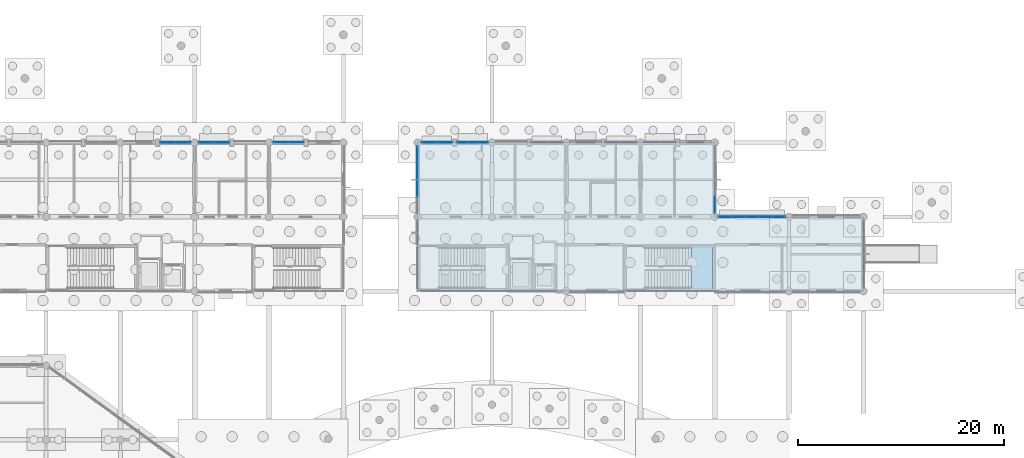
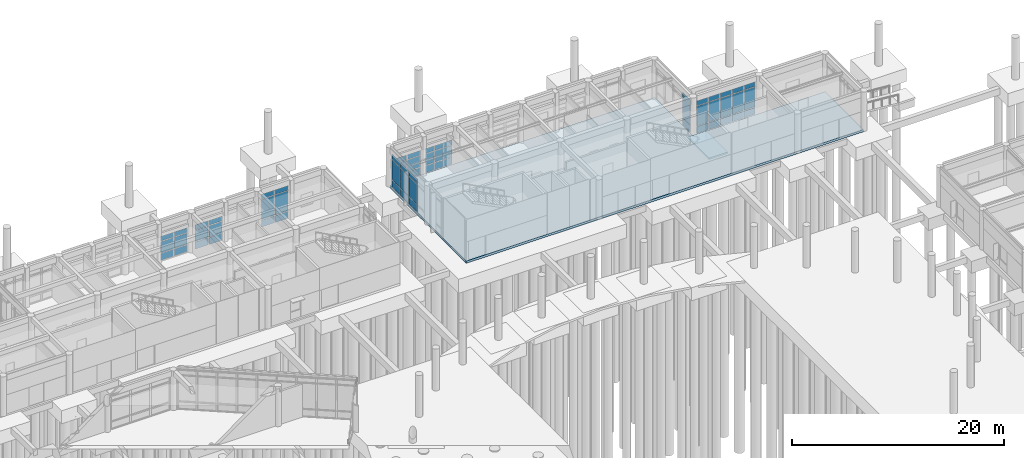
# One storey, part 49 of 103: 60 plates, 2 slabs, 9 elements without a shape of their own.
"""IFC4 building model written with IfcOpenShell, lengths in metres."""

from ifc_helpers import new_model, si_unit, direction, frame, origin, origin_2d, place, context, subcontext, project, spatial, polyline, rectangle, outline, extrude, material, layer, layer_set, type_object, element, aggregate, save


model = new_model("IFC4")

# Units and contexts
model_context = context("Model", 3, precision=1e-05, world=origin(), true_north=direction((0.0, 1.0)))
body_context = subcontext(model_context, "Body", "Model", "MODEL_VIEW")
ifc_project = project(units=[si_unit("LENGTHUNIT", "METRE"), si_unit("AREAUNIT", "SQUARE_METRE"), si_unit("VOLUMEUNIT", "CUBIC_METRE"), si_unit("PLANEANGLEUNIT", "RADIAN"), si_unit("MASSUNIT", "GRAM", prefix="KILO")], contexts=[model_context])

# Site, building, storey
site_placement = place(None, origin())
site = spatial("IfcSite", under=ifc_project, at=site_placement, CompositionType="ELEMENT")
building_placement = place(site_placement, origin())
building = spatial("IfcBuilding", under=site, at=building_placement, Name="Namkhue Oval Health Centre", CompositionType="ELEMENT")
storey_placement = place(building_placement, origin())
storey = spatial("IfcBuildingStorey", under=building, at=storey_placement, Name="L00", CompositionType="ELEMENT", Elevation=0.0)

# Curtain wall, plates
ifc_material_1 = material(Name="Anodised aluminium EN AW-6063 T6", Category="aluminium")
ifc_layer_1 = layer(ifc_material_1, 0.159912109375)
ifc_layer_set_1 = layer_set([ifc_layer_1], Name="Anodised aluminium EN AW-6063 T6")
curtain_wall_type_1 = type_object("IfcCurtainWallType", Name="UNITISED CURTAIN WALL M1500", PredefinedType="NOTDEFINED", material=ifc_layer_set_1)
curtain_wall_1_placement = place(storey_placement, origin())
curtain_wall_1 = element("IfcCurtainWall", 1, at=curtain_wall_1_placement, inside=storey, type_object=curtain_wall_type_1, Name="Volume V3 L00 Unitised Curtain Wall 93", PredefinedType="NOTDEFINED")
ifc_material_2 = material(Name="Thermally broken low-E laminated double glazing", Category="glass")
ifc_layer_2 = layer(ifc_material_2, 0.02587890625)
ifc_layer_set_2 = layer_set([ifc_layer_2], Name="Thermally broken low-E laminated double glazing")
plate_type_1 = type_object("IfcPlateType", Name="CURTAIN WALL GLAZED PANEL 26", PredefinedType="CURTAIN_PANEL", material=ifc_layer_set_2)
plate_1_placement = place(storey_placement, frame((122.39990234375, 98.38623046875, 0.06494140625), z_axis=(0.0, 0.0, 1.0), x_axis=(0.0, 1.0, 0.0)))
plate_1 = element("IfcPlate", 2, at=plate_1_placement, type_object=plate_type_1, Name="CW-03 panel 1.1", PredefinedType="CURTAIN_PANEL", context=body_context, shape_type="SweptSolid", body=[
    extrude(rectangle(XDim=1.5224609375, YDim=0.02587890625, at=origin_2d()), origin(), (0.0, 0.0, 1.0), 0.802490234375),
])
plate_2_placement = place(storey_placement, frame((122.39990234375, 98.38623046875, 0.932373046875), z_axis=(0.0, 0.0, 1.0), x_axis=(0.0, 1.0, 0.0)))
plate_2 = element("IfcPlate", 3, at=plate_2_placement, type_object=plate_type_1, Name="CW-03 panel 1.2", PredefinedType="CURTAIN_PANEL", context=body_context, shape_type="SweptSolid", body=[
    extrude(rectangle(XDim=1.5224609375, YDim=0.02587890625, at=origin_2d()), origin(), (0.0, 0.0, 1.0), 2.27001953125),
])
plate_3_placement = place(storey_placement, frame((122.39990234375, 98.38623046875, 3.267578125), z_axis=(0.0, 0.0, 1.0), x_axis=(0.0, 1.0, 0.0)))
plate_3 = element("IfcPlate", 4, at=plate_3_placement, type_object=plate_type_1, Name="CW-03 panel 1.3", PredefinedType="CURTAIN_PANEL", context=body_context, shape_type="SweptSolid", body=[
    extrude(rectangle(XDim=1.5224609375, YDim=0.02587890625, at=origin_2d()), origin(), (0.0, 0.0, 1.0), 0.552490234375),
])
aggregate(curtain_wall_1, [plate_1, plate_2, plate_3])

ifc_layer_3 = layer(ifc_material_1, 0.159912109375)
ifc_layer_set_3 = layer_set([ifc_layer_3], Name="Anodised aluminium EN AW-6063 T6")
curtain_wall_type_2 = type_object("IfcCurtainWallType", Name="UNITISED CURTAIN WALL M1200", PredefinedType="NOTDEFINED", material=ifc_layer_set_3)
curtain_wall_2_placement = place(storey_placement, origin())
curtain_wall_2 = element("IfcCurtainWall", 5, at=curtain_wall_2_placement, inside=storey, type_object=curtain_wall_type_2, Name="Volume V3 L00 Unitised Curtain Wall 97", PredefinedType="NOTDEFINED")
plate_4_placement = place(storey_placement, frame((99.9189453125, 104.39990234375, 0.06494140625), z_axis=(0.0, 0.0, 1.0), x_axis=(-1.0, 0.0, 0.0)))
plate_4 = element("IfcPlate", 6, at=plate_4_placement, type_object=plate_type_1, Name="CW-01 panel 1.1", PredefinedType="CURTAIN_PANEL", context=body_context, shape_type="SweptSolid", body=[
    extrude(rectangle(XDim=0.912109375, YDim=0.02587890625, at=origin_2d()), origin(), (0.0, 0.0, 1.0), 0.802490234375),
])
plate_5_placement = place(storey_placement, frame((99.9189453125, 104.39990234375, 0.9326171875), z_axis=(0.0, 0.0, 1.0), x_axis=(-1.0, 0.0, 0.0)))
plate_5 = element("IfcPlate", 7, at=plate_5_placement, type_object=plate_type_1, Name="CW-01 panel 1.2", PredefinedType="CURTAIN_PANEL", context=body_context, shape_type="SweptSolid", body=[
    extrude(rectangle(XDim=0.912109375, YDim=0.02587890625, at=origin_2d()), origin(), (0.0, 0.0, 1.0), 1.284912109375),
])
plate_6_placement = place(storey_placement, frame((99.9189453125, 104.39990234375, 2.28271484375), z_axis=(0.0, 0.0, 1.0), x_axis=(-1.0, 0.0, 0.0)))
plate_6 = element("IfcPlate", 8, at=plate_6_placement, type_object=plate_type_1, Name="CW-01 panel 1.3", PredefinedType="CURTAIN_PANEL", context=body_context, shape_type="SweptSolid", body=[
    extrude(rectangle(XDim=0.912109375, YDim=0.02587890625, at=origin_2d()), origin(), (0.0, 0.0, 1.0), 0.552490234375),
])
plate_7_placement = place(storey_placement, frame((98.925537109375, 104.39990234375, 0.06494140625), z_axis=(0.0, 0.0, 1.0), x_axis=(-1.0, 0.0, 0.0)))
plate_7 = element("IfcPlate", 9, at=plate_7_placement, type_object=plate_type_1, Name="CW-01 panel 2.1", PredefinedType="CURTAIN_PANEL", context=body_context, shape_type="SweptSolid", body=[
    extrude(rectangle(XDim=0.944580078125, YDim=0.02587890625, at=origin_2d()), origin(), (0.0, 0.0, 1.0), 0.802490234375),
])
plate_8_placement = place(storey_placement, frame((98.925537109375, 104.39990234375, 0.9326171875), z_axis=(0.0, 0.0, 1.0), x_axis=(-1.0, 0.0, 0.0)))
plate_8 = element("IfcPlate", 10, at=plate_8_placement, type_object=plate_type_1, Name="CW-01 panel 2.2", PredefinedType="CURTAIN_PANEL", context=body_context, shape_type="SweptSolid", body=[
    extrude(rectangle(XDim=0.944580078125, YDim=0.02587890625, at=origin_2d()), origin(), (0.0, 0.0, 1.0), 1.284912109375),
])
plate_9_placement = place(storey_placement, frame((98.925537109375, 104.39990234375, 2.28271484375), z_axis=(0.0, 0.0, 1.0), x_axis=(-1.0, 0.0, 0.0)))
plate_9 = element("IfcPlate", 11, at=plate_9_placement, type_object=plate_type_1, Name="CW-01 panel 2.3", PredefinedType="CURTAIN_PANEL", context=body_context, shape_type="SweptSolid", body=[
    extrude(rectangle(XDim=0.944580078125, YDim=0.02587890625, at=origin_2d()), origin(), (0.0, 0.0, 1.0), 0.552490234375),
])
plate_10_placement = place(storey_placement, frame((97.93212890625, 104.39990234375, 0.06494140625), z_axis=(0.0, 0.0, 1.0), x_axis=(-1.0, 0.0, 0.0)))
plate_10 = element("IfcPlate", 12, at=plate_10_placement, type_object=plate_type_1, Name="CW-01 panel 3.1", PredefinedType="CURTAIN_PANEL", context=body_context, shape_type="SweptSolid", body=[
    extrude(rectangle(XDim=0.912109375, YDim=0.02587890625, at=origin_2d()), origin(), (0.0, 0.0, 1.0), 0.802490234375),
])
plate_11_placement = place(storey_placement, frame((97.93212890625, 104.39990234375, 0.9326171875), z_axis=(0.0, 0.0, 1.0), x_axis=(-1.0, 0.0, 0.0)))
plate_11 = element("IfcPlate", 13, at=plate_11_placement, type_object=plate_type_1, Name="CW-01 panel 3.2", PredefinedType="CURTAIN_PANEL", context=body_context, shape_type="SweptSolid", body=[
    extrude(rectangle(XDim=0.912109375, YDim=0.02587890625, at=origin_2d()), origin(), (0.0, 0.0, 1.0), 1.284912109375),
])
plate_12_placement = place(storey_placement, frame((97.93212890625, 104.39990234375, 2.28271484375), z_axis=(0.0, 0.0, 1.0), x_axis=(-1.0, 0.0, 0.0)))
plate_12 = element("IfcPlate", 14, at=plate_12_placement, type_object=plate_type_1, Name="CW-01 panel 3.3", PredefinedType="CURTAIN_PANEL", context=body_context, shape_type="SweptSolid", body=[
    extrude(rectangle(XDim=0.912109375, YDim=0.02587890625, at=origin_2d()), origin(), (0.0, 0.0, 1.0), 0.552490234375),
])
aggregate(curtain_wall_2, [plate_4, plate_5, plate_6, plate_7, plate_8, plate_9, plate_10, plate_11, plate_12])

ifc_layer_4 = layer(ifc_material_1, 0.159912109375)
ifc_layer_set_4 = layer_set([ifc_layer_4], Name="Anodised aluminium EN AW-6063 T6")
curtain_wall_type_3 = type_object("IfcCurtainWallType", Name="UNITISED CURTAIN WALL M1350", PredefinedType="NOTDEFINED", material=ifc_layer_set_4)
curtain_wall_3_placement = place(storey_placement, origin())
curtain_wall_3 = element("IfcCurtainWall", 15, at=curtain_wall_3_placement, inside=storey, type_object=curtain_wall_type_3, Name="Volume V2 L00 Unitised Curtain Wall 38", PredefinedType="NOTDEFINED")
ifc_layer_5 = layer(ifc_material_2, 0.028076171875)
ifc_layer_set_5 = layer_set([ifc_layer_5], Name="Thermally broken low-E laminated double glazing")
plate_type_2 = type_object("IfcPlateType", Name="CURTAIN WALL GLAZED PANEL 28", PredefinedType="CURTAIN_PANEL", material=ifc_layer_set_5)
plate_13_placement = place(storey_placement, frame((81.81298828125, 104.39990234375, 0.074951171875), z_axis=(0.0, 0.0, 1.0), x_axis=(-1.0, 0.0, 0.0)))
plate_13 = element("IfcPlate", 16, at=plate_13_placement, type_object=plate_type_2, Name="CW-02 panel 1.1", PredefinedType="CURTAIN_PANEL", context=body_context, shape_type="SweptSolid", body=[
    extrude(rectangle(XDim=1.402099609375, YDim=0.028076171875, at=origin_2d()), origin(), (0.0, 0.0, 1.0), 0.78759765625),
])
plate_14_placement = place(storey_placement, frame((81.81298828125, 104.39990234375, 0.9375), z_axis=(0.0, 0.0, 1.0), x_axis=(-1.0, 0.0, 0.0)))
plate_14 = element("IfcPlate", 17, at=plate_14_placement, type_object=plate_type_2, Name="CW-02 panel 1.2", PredefinedType="CURTAIN_PANEL", context=body_context, shape_type="SweptSolid", body=[
    extrude(rectangle(XDim=1.402099609375, YDim=0.028076171875, at=origin_2d()), origin(), (0.0, 0.0, 1.0), 2.284912109375),
])
plate_15_placement = place(storey_placement, frame((81.81298828125, 104.39990234375, 3.29736328125), z_axis=(0.0, 0.0, 1.0), x_axis=(-1.0, 0.0, 0.0)))
plate_15 = element("IfcPlate", 18, at=plate_15_placement, type_object=plate_type_2, Name="CW-02 panel 1.3", PredefinedType="CURTAIN_PANEL", context=body_context, shape_type="SweptSolid", body=[
    extrude(rectangle(XDim=1.402099609375, YDim=0.028076171875, at=origin_2d()), origin(), (0.0, 0.0, 1.0), 0.53759765625),
])
plate_16_placement = place(storey_placement, frame((80.3359375, 104.39990234375, 0.074951171875), z_axis=(0.0, 0.0, 1.0), x_axis=(-1.0, 0.0, 0.0)))
plate_16 = element("IfcPlate", 19, at=plate_16_placement, type_object=plate_type_2, Name="CW-02 panel 2.1", PredefinedType="CURTAIN_PANEL", context=body_context, shape_type="SweptSolid", body=[
    extrude(rectangle(XDim=1.402099609375, YDim=0.028076171875, at=origin_2d()), origin(), (0.0, 0.0, 1.0), 0.78759765625),
])
plate_17_placement = place(storey_placement, frame((80.3359375, 104.39990234375, 0.9375), z_axis=(0.0, 0.0, 1.0), x_axis=(-1.0, 0.0, 0.0)))
plate_17 = element("IfcPlate", 20, at=plate_17_placement, type_object=plate_type_2, Name="CW-02 panel 2.2", PredefinedType="CURTAIN_PANEL", context=body_context, shape_type="SweptSolid", body=[
    extrude(rectangle(XDim=1.402099609375, YDim=0.028076171875, at=origin_2d()), origin(), (0.0, 0.0, 1.0), 2.284912109375),
])
plate_18_placement = place(storey_placement, frame((80.3359375, 104.39990234375, 3.29736328125), z_axis=(0.0, 0.0, 1.0), x_axis=(-1.0, 0.0, 0.0)))
plate_18 = element("IfcPlate", 21, at=plate_18_placement, type_object=plate_type_2, Name="CW-02 panel 2.3", PredefinedType="CURTAIN_PANEL", context=body_context, shape_type="SweptSolid", body=[
    extrude(rectangle(XDim=1.402099609375, YDim=0.028076171875, at=origin_2d()), origin(), (0.0, 0.0, 1.0), 0.53759765625),
])
aggregate(curtain_wall_3, [plate_13, plate_14, plate_15, plate_16, plate_17, plate_18])

curtain_wall_4_placement = place(storey_placement, origin())
curtain_wall_4 = element("IfcCurtainWall", 22, at=curtain_wall_4_placement, inside=storey, type_object=curtain_wall_type_3, Name="Volume V3 L00 Unitised Curtain Wall 98", PredefinedType="NOTDEFINED")
plate_19_placement = place(storey_placement, frame((96.212890625, 104.39990234375, 0.074951171875), z_axis=(0.0, 0.0, 1.0), x_axis=(-1.0, 0.0, 0.0)))
plate_19 = element("IfcPlate", 23, at=plate_19_placement, type_object=plate_type_2, Name="CW-02 panel 1.1", PredefinedType="CURTAIN_PANEL", context=body_context, shape_type="SweptSolid", body=[
    extrude(rectangle(XDim=1.402099609375, YDim=0.028076171875, at=origin_2d()), origin(), (0.0, 0.0, 1.0), 0.78759765625),
])
plate_20_placement = place(storey_placement, frame((96.212890625, 104.39990234375, 0.9375), z_axis=(0.0, 0.0, 1.0), x_axis=(-1.0, 0.0, 0.0)))
plate_20 = element("IfcPlate", 24, at=plate_20_placement, type_object=plate_type_2, Name="CW-02 panel 1.2", PredefinedType="CURTAIN_PANEL", context=body_context, shape_type="SweptSolid", body=[
    extrude(rectangle(XDim=1.402099609375, YDim=0.028076171875, at=origin_2d()), origin(), (0.0, 0.0, 1.0), 1.27490234375),
])
plate_21_placement = place(storey_placement, frame((96.212890625, 104.39990234375, 2.287353515625), z_axis=(0.0, 0.0, 1.0), x_axis=(-1.0, 0.0, 0.0)))
plate_21 = element("IfcPlate", 25, at=plate_21_placement, type_object=plate_type_2, Name="CW-02 panel 1.3", PredefinedType="CURTAIN_PANEL", context=body_context, shape_type="SweptSolid", body=[
    extrude(rectangle(XDim=1.402099609375, YDim=0.028076171875, at=origin_2d()), origin(), (0.0, 0.0, 1.0), 0.53759765625),
])
plate_22_placement = place(storey_placement, frame((94.736083984375, 104.39990234375, 0.074951171875), z_axis=(0.0, 0.0, 1.0), x_axis=(-1.0, 0.0, 0.0)))
plate_22 = element("IfcPlate", 26, at=plate_22_placement, type_object=plate_type_2, Name="CW-02 panel 2.1", PredefinedType="CURTAIN_PANEL", context=body_context, shape_type="SweptSolid", body=[
    extrude(rectangle(XDim=1.402099609375, YDim=0.028076171875, at=origin_2d()), origin(), (0.0, 0.0, 1.0), 0.78759765625),
])
plate_23_placement = place(storey_placement, frame((94.736083984375, 104.39990234375, 0.9375), z_axis=(0.0, 0.0, 1.0), x_axis=(-1.0, 0.0, 0.0)))
plate_23 = element("IfcPlate", 27, at=plate_23_placement, type_object=plate_type_2, Name="CW-02 panel 2.2", PredefinedType="CURTAIN_PANEL", context=body_context, shape_type="SweptSolid", body=[
    extrude(rectangle(XDim=1.402099609375, YDim=0.028076171875, at=origin_2d()), origin(), (0.0, 0.0, 1.0), 1.27490234375),
])
plate_24_placement = place(storey_placement, frame((94.736083984375, 104.39990234375, 2.287353515625), z_axis=(0.0, 0.0, 1.0), x_axis=(-1.0, 0.0, 0.0)))
plate_24 = element("IfcPlate", 28, at=plate_24_placement, type_object=plate_type_2, Name="CW-02 panel 2.3", PredefinedType="CURTAIN_PANEL", context=body_context, shape_type="SweptSolid", body=[
    extrude(rectangle(XDim=1.402099609375, YDim=0.028076171875, at=origin_2d()), origin(), (0.0, 0.0, 1.0), 0.53759765625),
])
aggregate(curtain_wall_4, [plate_19, plate_20, plate_21, plate_22, plate_23, plate_24])

curtain_wall_5_placement = place(storey_placement, origin())
curtain_wall_5 = element("IfcCurtainWall", 29, at=curtain_wall_5_placement, inside=storey, type_object=curtain_wall_type_1, Name="Volume V2 L00 Unitised Curtain Wall 39", PredefinedType="NOTDEFINED")
ifc_material_3 = material(Name="Insulated anodised aluminium spandrel panel", Category="aluminium")
ifc_layer_6 = layer(ifc_material_3, 0.031982421875)
ifc_layer_set_6 = layer_set([ifc_layer_6], Name="Insulated anodised aluminium spandrel panel")
plate_type_3 = type_object("IfcPlateType", Name="CURTAIN WALL SPANDREL PANEL 32", PredefinedType="CURTAIN_PANEL", material=ifc_layer_set_6)
plate_25_placement = place(storey_placement, frame((74.615478515625, 104.39990234375, 0.06494140625), z_axis=(0.0, 0.0, 1.0), x_axis=(-1.0, 0.0, 0.0)))
plate_25 = element("IfcPlate", 30, at=plate_25_placement, type_object=plate_type_3, Name="CW-03 panel 1.1", PredefinedType="CURTAIN_PANEL", context=body_context, shape_type="SweptSolid", body=[
    extrude(rectangle(XDim=1.4169921875, YDim=0.031982421875, at=origin_2d()), origin(), (0.0, 0.0, 1.0), 0.802490234375),
])
plate_26_placement = place(storey_placement, frame((74.615478515625, 104.39990234375, 0.9326171875), z_axis=(0.0, 0.0, 1.0), x_axis=(-1.0, 0.0, 0.0)))
plate_26 = element("IfcPlate", 31, at=plate_26_placement, type_object=plate_type_3, Name="CW-03 panel 1.2", PredefinedType="CURTAIN_PANEL", context=body_context, shape_type="SweptSolid", body=[
    extrude(rectangle(XDim=1.4169921875, YDim=0.031982421875, at=origin_2d()), origin(), (0.0, 0.0, 1.0), 1.284912109375),
])
plate_27_placement = place(storey_placement, frame((74.615478515625, 104.39990234375, 2.28271484375), z_axis=(0.0, 0.0, 1.0), x_axis=(-1.0, 0.0, 0.0)))
plate_27 = element("IfcPlate", 32, at=plate_27_placement, type_object=plate_type_3, Name="CW-03 panel 1.3", PredefinedType="CURTAIN_PANEL", context=body_context, shape_type="SweptSolid", body=[
    extrude(rectangle(XDim=1.4169921875, YDim=0.031982421875, at=origin_2d()), origin(), (0.0, 0.0, 1.0), 0.552490234375),
])
plate_28_placement = place(storey_placement, frame((73.133544921875, 104.39990234375, 0.06494140625), z_axis=(0.0, 0.0, 1.0), x_axis=(-1.0, 0.0, 0.0)))
plate_28 = element("IfcPlate", 33, at=plate_28_placement, type_object=plate_type_3, Name="CW-03 panel 2.1", PredefinedType="CURTAIN_PANEL", context=body_context, shape_type="SweptSolid", body=[
    extrude(rectangle(XDim=1.4169921875, YDim=0.031982421875, at=origin_2d()), origin(), (0.0, 0.0, 1.0), 0.802490234375),
])
plate_29_placement = place(storey_placement, frame((73.133544921875, 104.39990234375, 0.9326171875), z_axis=(0.0, 0.0, 1.0), x_axis=(-1.0, 0.0, 0.0)))
plate_29 = element("IfcPlate", 34, at=plate_29_placement, type_object=plate_type_3, Name="CW-03 panel 2.2", PredefinedType="CURTAIN_PANEL", context=body_context, shape_type="SweptSolid", body=[
    extrude(rectangle(XDim=1.4169921875, YDim=0.031982421875, at=origin_2d()), origin(), (0.0, 0.0, 1.0), 1.284912109375),
])
plate_30_placement = place(storey_placement, frame((73.133544921875, 104.39990234375, 2.28271484375), z_axis=(0.0, 0.0, 1.0), x_axis=(-1.0, 0.0, 0.0)))
plate_30 = element("IfcPlate", 35, at=plate_30_placement, type_object=plate_type_3, Name="CW-03 panel 2.3", PredefinedType="CURTAIN_PANEL", context=body_context, shape_type="SweptSolid", body=[
    extrude(rectangle(XDim=1.4169921875, YDim=0.031982421875, at=origin_2d()), origin(), (0.0, 0.0, 1.0), 0.552490234375),
])
aggregate(curtain_wall_5, [plate_25, plate_26, plate_27, plate_28, plate_29, plate_30])

curtain_wall_6_placement = place(storey_placement, origin())
curtain_wall_6 = element("IfcCurtainWall", 36, at=curtain_wall_6_placement, inside=storey, type_object=curtain_wall_type_1, Name="Volume V3 L00 Unitised Curtain Wall 99", PredefinedType="NOTDEFINED")
plate_31_placement = place(storey_placement, frame((93.60009765625, 103.2138671875, 0.06494140625), z_axis=(0.0, 0.0, 1.0), x_axis=(0.0, -1.0, 0.0)))
plate_31 = element("IfcPlate", 37, at=plate_31_placement, type_object=plate_type_3, Name="CW-03 panel 1.1", PredefinedType="CURTAIN_PANEL", context=body_context, shape_type="SweptSolid", body=[
    extrude(rectangle(XDim=1.5224609375, YDim=0.031982421875, at=origin_2d()), origin(), (0.0, 0.0, 1.0), 0.802490234375),
])
plate_32_placement = place(storey_placement, frame((93.60009765625, 103.2138671875, 0.932373046875), z_axis=(0.0, 0.0, 1.0), x_axis=(0.0, -1.0, 0.0)))
plate_32 = element("IfcPlate", 38, at=plate_32_placement, type_object=plate_type_3, Name="CW-03 panel 1.2", PredefinedType="CURTAIN_PANEL", context=body_context, shape_type="SweptSolid", body=[
    extrude(rectangle(XDim=1.5224609375, YDim=0.031982421875, at=origin_2d()), origin(), (0.0, 0.0, 1.0), 2.27001953125),
])
plate_33_placement = place(storey_placement, frame((93.60009765625, 103.2138671875, 3.267578125), z_axis=(0.0, 0.0, 1.0), x_axis=(0.0, -1.0, 0.0)))
plate_33 = element("IfcPlate", 39, at=plate_33_placement, type_object=plate_type_3, Name="CW-03 panel 1.3", PredefinedType="CURTAIN_PANEL", context=body_context, shape_type="SweptSolid", body=[
    extrude(rectangle(XDim=1.5224609375, YDim=0.031982421875, at=origin_2d()), origin(), (0.0, 0.0, 1.0), 0.552490234375),
])
plate_34_placement = place(storey_placement, frame((93.60009765625, 101.610107421875, 0.06494140625), z_axis=(0.0, 0.0, 1.0), x_axis=(0.0, -1.0, 0.0)))
plate_34 = element("IfcPlate", 40, at=plate_34_placement, type_object=plate_type_3, Name="CW-03 panel 2.1", PredefinedType="CURTAIN_PANEL", context=body_context, shape_type="SweptSolid", body=[
    extrude(rectangle(XDim=1.554931640625, YDim=0.031982421875, at=origin_2d()), origin(), (0.0, 0.0, 1.0), 0.802490234375),
])
plate_35_placement = place(storey_placement, frame((93.60009765625, 101.610107421875, 0.932373046875), z_axis=(0.0, 0.0, 1.0), x_axis=(0.0, -1.0, 0.0)))
plate_35 = element("IfcPlate", 41, at=plate_35_placement, type_object=plate_type_3, Name="CW-03 panel 2.2", PredefinedType="CURTAIN_PANEL", context=body_context, shape_type="SweptSolid", body=[
    extrude(rectangle(XDim=1.554931640625, YDim=0.031982421875, at=origin_2d()), origin(), (0.0, 0.0, 1.0), 2.27001953125),
])
plate_36_placement = place(storey_placement, frame((93.60009765625, 101.610107421875, 3.267578125), z_axis=(0.0, 0.0, 1.0), x_axis=(0.0, -1.0, 0.0)))
plate_36 = element("IfcPlate", 42, at=plate_36_placement, type_object=plate_type_3, Name="CW-03 panel 2.3", PredefinedType="CURTAIN_PANEL", context=body_context, shape_type="SweptSolid", body=[
    extrude(rectangle(XDim=1.554931640625, YDim=0.031982421875, at=origin_2d()), origin(), (0.0, 0.0, 1.0), 0.552490234375),
])
plate_37_placement = place(storey_placement, frame((93.60009765625, 99.989990234375, 0.06494140625), z_axis=(0.0, 0.0, 1.0), x_axis=(0.0, -1.0, 0.0)))
plate_37 = element("IfcPlate", 43, at=plate_37_placement, type_object=plate_type_3, Name="CW-03 panel 3.1", PredefinedType="CURTAIN_PANEL", context=body_context, shape_type="SweptSolid", body=[
    extrude(rectangle(XDim=1.554931640625, YDim=0.031982421875, at=origin_2d()), origin(), (0.0, 0.0, 1.0), 0.802490234375),
])
plate_38_placement = place(storey_placement, frame((93.60009765625, 99.989990234375, 0.932373046875), z_axis=(0.0, 0.0, 1.0), x_axis=(0.0, -1.0, 0.0)))
plate_38 = element("IfcPlate", 44, at=plate_38_placement, type_object=plate_type_3, Name="CW-03 panel 3.2", PredefinedType="CURTAIN_PANEL", context=body_context, shape_type="SweptSolid", body=[
    extrude(rectangle(XDim=1.554931640625, YDim=0.031982421875, at=origin_2d()), origin(), (0.0, 0.0, 1.0), 2.27001953125),
])
plate_39_placement = place(storey_placement, frame((93.60009765625, 99.989990234375, 3.267578125), z_axis=(0.0, 0.0, 1.0), x_axis=(0.0, -1.0, 0.0)))
plate_39 = element("IfcPlate", 45, at=plate_39_placement, type_object=plate_type_3, Name="CW-03 panel 3.3", PredefinedType="CURTAIN_PANEL", context=body_context, shape_type="SweptSolid", body=[
    extrude(rectangle(XDim=1.554931640625, YDim=0.031982421875, at=origin_2d()), origin(), (0.0, 0.0, 1.0), 0.552490234375),
])
aggregate(curtain_wall_6, [plate_31, plate_32, plate_33, plate_34, plate_35, plate_36, plate_37, plate_38, plate_39])

ifc_layer_7 = layer(ifc_material_1, 0.159912109375)
ifc_layer_set_7 = layer_set([ifc_layer_7], Name="Anodised aluminium EN AW-6063 T6")
curtain_wall_type_4 = type_object("IfcCurtainWallType", Name="UNITISED CURTAIN WALL M1600", PredefinedType="NOTDEFINED", material=ifc_layer_set_7)
curtain_wall_7_placement = place(storey_placement, origin())
curtain_wall_7 = element("IfcCurtainWall", 46, at=curtain_wall_7_placement, inside=storey, type_object=curtain_wall_type_4, Name="Volume V2 L00 Unitised Curtain Wall 40", PredefinedType="NOTDEFINED")
ifc_layer_8 = layer(ifc_material_3, 0.035888671875)
ifc_layer_set_8 = layer_set([ifc_layer_8], Name="Insulated anodised aluminium spandrel panel")
plate_type_4 = type_object("IfcPlateType", Name="CURTAIN WALL SPANDREL PANEL 36", PredefinedType="CURTAIN_PANEL", material=ifc_layer_set_8)
plate_40_placement = place(storey_placement, frame((70.864013671875, 104.39990234375, 0.074951171875), z_axis=(0.0, 0.0, 1.0), x_axis=(-1.0, 0.0, 0.0)))
plate_40 = element("IfcPlate", 47, at=plate_40_placement, type_object=plate_type_4, Name="CW-04 panel 1.1", PredefinedType="CURTAIN_PANEL", context=body_context, shape_type="SweptSolid", body=[
    extrude(rectangle(XDim=1.402099609375, YDim=0.035888671875, at=origin_2d()), origin(), (0.0, 0.0, 1.0), 0.78759765625),
])
plate_41_placement = place(storey_placement, frame((70.864013671875, 104.39990234375, 0.9375), z_axis=(0.0, 0.0, 1.0), x_axis=(-1.0, 0.0, 0.0)))
plate_41 = element("IfcPlate", 48, at=plate_41_placement, type_object=plate_type_4, Name="CW-04 panel 1.2", PredefinedType="CURTAIN_PANEL", context=body_context, shape_type="SweptSolid", body=[
    extrude(rectangle(XDim=1.402099609375, YDim=0.035888671875, at=origin_2d()), origin(), (0.0, 0.0, 1.0), 1.27490234375),
])
plate_42_placement = place(storey_placement, frame((70.864013671875, 104.39990234375, 2.287353515625), z_axis=(0.0, 0.0, 1.0), x_axis=(-1.0, 0.0, 0.0)))
plate_42 = element("IfcPlate", 49, at=plate_42_placement, type_object=plate_type_4, Name="CW-04 panel 1.3", PredefinedType="CURTAIN_PANEL", context=body_context, shape_type="SweptSolid", body=[
    extrude(rectangle(XDim=1.402099609375, YDim=0.035888671875, at=origin_2d()), origin(), (0.0, 0.0, 1.0), 0.53759765625),
])
plate_43_placement = place(storey_placement, frame((69.386962890625, 104.39990234375, 0.074951171875), z_axis=(0.0, 0.0, 1.0), x_axis=(-1.0, 0.0, 0.0)))
plate_43 = element("IfcPlate", 50, at=plate_43_placement, type_object=plate_type_4, Name="CW-04 panel 2.1", PredefinedType="CURTAIN_PANEL", context=body_context, shape_type="SweptSolid", body=[
    extrude(rectangle(XDim=1.402099609375, YDim=0.035888671875, at=origin_2d()), origin(), (0.0, 0.0, 1.0), 0.78759765625),
])
plate_44_placement = place(storey_placement, frame((69.386962890625, 104.39990234375, 0.9375), z_axis=(0.0, 0.0, 1.0), x_axis=(-1.0, 0.0, 0.0)))
plate_44 = element("IfcPlate", 51, at=plate_44_placement, type_object=plate_type_4, Name="CW-04 panel 2.2", PredefinedType="CURTAIN_PANEL", context=body_context, shape_type="SweptSolid", body=[
    extrude(rectangle(XDim=1.402099609375, YDim=0.035888671875, at=origin_2d()), origin(), (0.0, 0.0, 1.0), 1.27490234375),
])
plate_45_placement = place(storey_placement, frame((69.386962890625, 104.39990234375, 2.287353515625), z_axis=(0.0, 0.0, 1.0), x_axis=(-1.0, 0.0, 0.0)))
plate_45 = element("IfcPlate", 52, at=plate_45_placement, type_object=plate_type_4, Name="CW-04 panel 2.3", PredefinedType="CURTAIN_PANEL", context=body_context, shape_type="SweptSolid", body=[
    extrude(rectangle(XDim=1.402099609375, YDim=0.035888671875, at=origin_2d()), origin(), (0.0, 0.0, 1.0), 0.53759765625),
])
aggregate(curtain_wall_7, [plate_40, plate_41, plate_42, plate_43, plate_44, plate_45])

curtain_wall_8_placement = place(storey_placement, origin())
curtain_wall_8 = element("IfcCurtainWall", 53, at=curtain_wall_8_placement, inside=storey, type_object=curtain_wall_type_3, Name="Volume V3 L00 Unitised Curtain Wall 92", PredefinedType="NOTDEFINED")
plate_46_placement = place(storey_placement, frame((128.5732421875, 97.199951171875, 0.074951171875), z_axis=(0.0, 0.0, 1.0), x_axis=(-1.0, 0.0, 0.0)))
plate_46 = element("IfcPlate", 54, at=plate_46_placement, type_object=plate_type_4, Name="CW-02 panel 1.1", PredefinedType="CURTAIN_PANEL", context=body_context, shape_type="SweptSolid", body=[
    extrude(rectangle(XDim=1.18359375, YDim=0.035888671875, at=origin_2d()), origin(), (0.0, 0.0, 1.0), 0.78759765625),
])
plate_47_placement = place(storey_placement, frame((128.5732421875, 97.199951171875, 0.9375), z_axis=(0.0, 0.0, 1.0), x_axis=(-1.0, 0.0, 0.0)))
plate_47 = element("IfcPlate", 55, at=plate_47_placement, type_object=plate_type_4, Name="CW-02 panel 1.2", PredefinedType="CURTAIN_PANEL", context=body_context, shape_type="SweptSolid", body=[
    extrude(rectangle(XDim=1.18359375, YDim=0.035888671875, at=origin_2d()), origin(), (0.0, 0.0, 1.0), 2.260009765625),
])
plate_48_placement = place(storey_placement, frame((128.5732421875, 97.199951171875, 3.2724609375), z_axis=(0.0, 0.0, 1.0), x_axis=(-1.0, 0.0, 0.0)))
plate_48 = element("IfcPlate", 56, at=plate_48_placement, type_object=plate_type_4, Name="CW-02 panel 1.3", PredefinedType="CURTAIN_PANEL", context=body_context, shape_type="SweptSolid", body=[
    extrude(rectangle(XDim=1.18359375, YDim=0.035888671875, at=origin_2d()), origin(), (0.0, 0.0, 1.0), 0.53759765625),
])
plate_49_placement = place(storey_placement, frame((127.2958984375, 97.199951171875, 0.074951171875), z_axis=(0.0, 0.0, 1.0), x_axis=(-1.0, 0.0, 0.0)))
plate_49 = element("IfcPlate", 57, at=plate_49_placement, type_object=plate_type_4, Name="CW-02 panel 2.1", PredefinedType="CURTAIN_PANEL", context=body_context, shape_type="SweptSolid", body=[
    extrude(rectangle(XDim=1.220947265625, YDim=0.035888671875, at=origin_2d()), origin(), (0.0, 0.0, 1.0), 0.78759765625),
])
plate_50_placement = place(storey_placement, frame((127.2958984375, 97.199951171875, 0.9375), z_axis=(0.0, 0.0, 1.0), x_axis=(-1.0, 0.0, 0.0)))
plate_50 = element("IfcPlate", 58, at=plate_50_placement, type_object=plate_type_4, Name="CW-02 panel 2.2", PredefinedType="CURTAIN_PANEL", context=body_context, shape_type="SweptSolid", body=[
    extrude(rectangle(XDim=1.220947265625, YDim=0.035888671875, at=origin_2d()), origin(), (0.0, 0.0, 1.0), 2.260009765625),
])
plate_51_placement = place(storey_placement, frame((127.2958984375, 97.199951171875, 3.2724609375), z_axis=(0.0, 0.0, 1.0), x_axis=(-1.0, 0.0, 0.0)))
plate_51 = element("IfcPlate", 59, at=plate_51_placement, type_object=plate_type_4, Name="CW-02 panel 2.3", PredefinedType="CURTAIN_PANEL", context=body_context, shape_type="SweptSolid", body=[
    extrude(rectangle(XDim=1.220947265625, YDim=0.035888671875, at=origin_2d()), origin(), (0.0, 0.0, 1.0), 0.53759765625),
])
plate_52_placement = place(storey_placement, frame((126.0, 97.199951171875, 0.074951171875), z_axis=(0.0, 0.0, 1.0), x_axis=(-1.0, 0.0, 0.0)))
plate_52 = element("IfcPlate", 60, at=plate_52_placement, type_object=plate_type_4, Name="CW-02 panel 3.1", PredefinedType="CURTAIN_PANEL", context=body_context, shape_type="SweptSolid", body=[
    extrude(rectangle(XDim=1.220947265625, YDim=0.035888671875, at=origin_2d()), origin(), (0.0, 0.0, 1.0), 0.78759765625),
])
plate_53_placement = place(storey_placement, frame((126.0, 97.199951171875, 0.9375), z_axis=(0.0, 0.0, 1.0), x_axis=(-1.0, 0.0, 0.0)))
plate_53 = element("IfcPlate", 61, at=plate_53_placement, type_object=plate_type_4, Name="CW-02 panel 3.2", PredefinedType="CURTAIN_PANEL", context=body_context, shape_type="SweptSolid", body=[
    extrude(rectangle(XDim=1.220947265625, YDim=0.035888671875, at=origin_2d()), origin(), (0.0, 0.0, 1.0), 2.260009765625),
])
plate_54_placement = place(storey_placement, frame((126.0, 97.199951171875, 3.2724609375), z_axis=(0.0, 0.0, 1.0), x_axis=(-1.0, 0.0, 0.0)))
plate_54 = element("IfcPlate", 62, at=plate_54_placement, type_object=plate_type_4, Name="CW-02 panel 3.3", PredefinedType="CURTAIN_PANEL", context=body_context, shape_type="SweptSolid", body=[
    extrude(rectangle(XDim=1.220947265625, YDim=0.035888671875, at=origin_2d()), origin(), (0.0, 0.0, 1.0), 0.53759765625),
])
plate_55_placement = place(storey_placement, frame((124.7041015625, 97.199951171875, 0.074951171875), z_axis=(0.0, 0.0, 1.0), x_axis=(-1.0, 0.0, 0.0)))
plate_55 = element("IfcPlate", 63, at=plate_55_placement, type_object=plate_type_4, Name="CW-02 panel 4.1", PredefinedType="CURTAIN_PANEL", context=body_context, shape_type="SweptSolid", body=[
    extrude(rectangle(XDim=1.220947265625, YDim=0.035888671875, at=origin_2d()), origin(), (0.0, 0.0, 1.0), 0.78759765625),
])
plate_56_placement = place(storey_placement, frame((124.7041015625, 97.199951171875, 0.9375), z_axis=(0.0, 0.0, 1.0), x_axis=(-1.0, 0.0, 0.0)))
plate_56 = element("IfcPlate", 64, at=plate_56_placement, type_object=plate_type_4, Name="CW-02 panel 4.2", PredefinedType="CURTAIN_PANEL", context=body_context, shape_type="SweptSolid", body=[
    extrude(rectangle(XDim=1.220947265625, YDim=0.035888671875, at=origin_2d()), origin(), (0.0, 0.0, 1.0), 2.260009765625),
])
plate_57_placement = place(storey_placement, frame((124.7041015625, 97.199951171875, 3.2724609375), z_axis=(0.0, 0.0, 1.0), x_axis=(-1.0, 0.0, 0.0)))
plate_57 = element("IfcPlate", 65, at=plate_57_placement, type_object=plate_type_4, Name="CW-02 panel 4.3", PredefinedType="CURTAIN_PANEL", context=body_context, shape_type="SweptSolid", body=[
    extrude(rectangle(XDim=1.220947265625, YDim=0.035888671875, at=origin_2d()), origin(), (0.0, 0.0, 1.0), 0.53759765625),
])
plate_58_placement = place(storey_placement, frame((123.4267578125, 97.199951171875, 0.074951171875), z_axis=(0.0, 0.0, 1.0), x_axis=(-1.0, 0.0, 0.0)))
plate_58 = element("IfcPlate", 66, at=plate_58_placement, type_object=plate_type_4, Name="CW-02 panel 5.1", PredefinedType="CURTAIN_PANEL", context=body_context, shape_type="SweptSolid", body=[
    extrude(rectangle(XDim=1.18359375, YDim=0.035888671875, at=origin_2d()), origin(), (0.0, 0.0, 1.0), 0.78759765625),
])
plate_59_placement = place(storey_placement, frame((123.4267578125, 97.199951171875, 0.9375), z_axis=(0.0, 0.0, 1.0), x_axis=(-1.0, 0.0, 0.0)))
plate_59 = element("IfcPlate", 67, at=plate_59_placement, type_object=plate_type_4, Name="CW-02 panel 5.2", PredefinedType="CURTAIN_PANEL", context=body_context, shape_type="SweptSolid", body=[
    extrude(rectangle(XDim=1.18359375, YDim=0.035888671875, at=origin_2d()), origin(), (0.0, 0.0, 1.0), 2.260009765625),
])
plate_60_placement = place(storey_placement, frame((123.4267578125, 97.199951171875, 3.2724609375), z_axis=(0.0, 0.0, 1.0), x_axis=(-1.0, 0.0, 0.0)))
plate_60 = element("IfcPlate", 68, at=plate_60_placement, type_object=plate_type_4, Name="CW-02 panel 5.3", PredefinedType="CURTAIN_PANEL", context=body_context, shape_type="SweptSolid", body=[
    extrude(rectangle(XDim=1.18359375, YDim=0.035888671875, at=origin_2d()), origin(), (0.0, 0.0, 1.0), 0.53759765625),
])
aggregate(curtain_wall_8, [plate_46, plate_47, plate_48, plate_49, plate_50, plate_51, plate_52, plate_53, plate_54, plate_55, plate_56, plate_57, plate_58, plate_59, plate_60])

# Slab
ifc_material_4 = material(Name="Reinforced concrete C30/37 (TCVN B35)", Category="concrete")
ifc_layer_9 = layer(ifc_material_4, 0.264892578125)
ifc_layer_set_9 = layer_set([ifc_layer_9], Name="Reinforced concrete C30/37 (TCVN B35)")
slab_type_1 = type_object("IfcSlabType", Name="GROUND BASE SLAB 265", PredefinedType="BASESLAB", material=ifc_layer_set_9)
slab_1_placement = place(storey_placement, frame((0.0, 0.0, -0.264892578125)))
element("IfcSlab", 69, at=slab_1_placement, inside=storey, type_object=slab_type_1, Name="Volume V3 L00 Ground Base Slab", PredefinedType="BASESLAB", context=body_context, shape_type="SweptSolid", body=[
    extrude(outline(polyline([(93.60009765625, 90.0), (136.800048828125, 90.0), (136.800048828125, 97.199951171875), (122.39990234375, 97.199951171875), (122.39990234375, 104.39990234375), (93.60009765625, 104.39990234375), (93.60009765625, 90.0)])), origin(), (0.0, 0.0, 1.0), 0.264892578125),
])

# Stair, slab
stair_type = type_object("IfcStairType", Name="DOGLEG EXIT STAIR H4800", PredefinedType="HALF_TURN_STAIR", material=ifc_material_4)
stair_placement = place(storey_placement, origin())
stair = element("IfcStair", 70, at=stair_placement, inside=storey, type_object=stair_type, Name="Protected Exit Stair ST-06 L00", PredefinedType="HALF_TURN_STAIR")
ifc_layer_10 = layer(ifc_material_4, 0.179931640625)
ifc_layer_set_10 = layer_set([ifc_layer_10], Name="Reinforced concrete C30/37 (TCVN B35)")
slab_type_2 = type_object("IfcSlabType", Name="STAIR LANDING SLAB 180", PredefinedType="LANDING", material=ifc_layer_set_10)
slab_2_placement = place(storey_placement, frame((0.0, 0.0, 2.219970703125)))
slab_2 = element("IfcSlab", 71, at=slab_2_placement, type_object=slab_type_2, Name="ST-06 landing 1", PredefinedType="LANDING", context=body_context, shape_type="SweptSolid", body=[
    extrude(outline(polyline([(120.14501953125, 90.22509765625), (122.175048828125, 90.22509765625), (122.175048828125, 94.27490234375), (120.14501953125, 94.27490234375), (120.14501953125, 90.22509765625)])), origin(), (0.0, 0.0, 1.0), 0.179931640625),
])
aggregate(stair, [slab_2])

save(model, "model.ifc")
